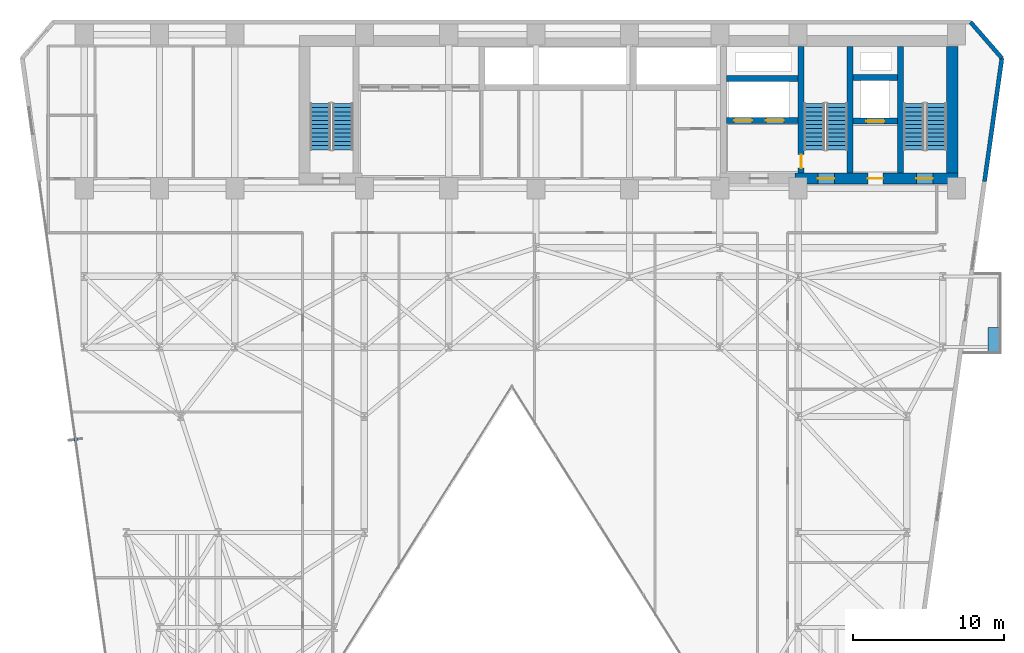
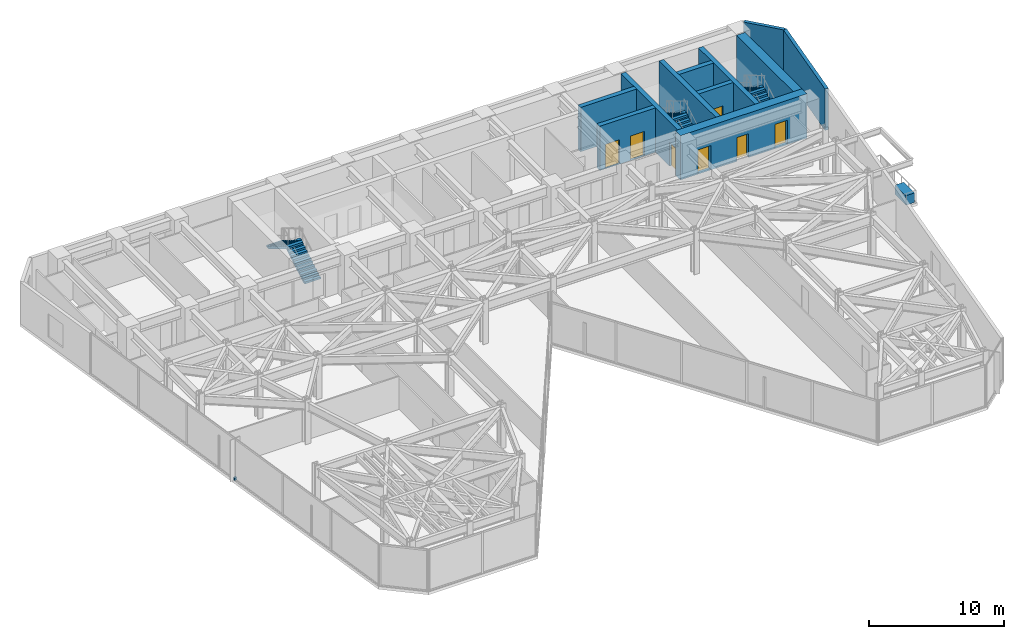
# One storey, part 21 of 25: 11 walls, 7 doors, 6 stair flights, 2 discrete accessories, 7 openings, 3 elements without a shape of their own.
"""IFC4 building model written with IfcOpenShell, lengths in metres."""

from ifc_helpers import new_model, si_unit, direction, frame, frame_2d, origin, origin_2d, place, context, subcontext, project, spatial, polyline, rectangle, outline, extrude, material, layer, layer_set, type_object, element, fill, aggregate, save


model = new_model("IFC4")

# Units and contexts
model_context = context("Model", 3, precision=1e-05, world=origin(), true_north=direction((0.0, 1.0)))
body_context = subcontext(model_context, "Body", "Model", "MODEL_VIEW")
ifc_project = project(units=[si_unit("LENGTHUNIT", "METRE"), si_unit("AREAUNIT", "SQUARE_METRE"), si_unit("VOLUMEUNIT", "CUBIC_METRE"), si_unit("PLANEANGLEUNIT", "RADIAN"), si_unit("MASSUNIT", "GRAM", prefix="KILO")], contexts=[model_context])

# Site, building, storey
site_placement = place(None, origin())
site = spatial("IfcSite", under=ifc_project, at=site_placement, CompositionType="ELEMENT")
building_placement = place(site_placement, origin())
building = spatial("IfcBuilding", under=site, at=building_placement, Name="Kravanh Interchange Tower", CompositionType="ELEMENT")
storey_placement = place(building_placement, frame((0.0, 0.0, 49.5)))
storey = spatial("IfcBuildingStorey", under=building, at=storey_placement, Name="L11", CompositionType="ELEMENT", Elevation=49.5)

# Walls
ifc_material_1 = material(Name="Concrete C80/95", Category="concrete")
ifc_layer_1 = layer(ifc_material_1, 0.39990234375)
ifc_layer_set_1 = layer_set([ifc_layer_1], Name="Core Shear Wall Concrete C80/95 400mm")
wall_type_1 = type_object("IfcWallType", Name="Core Shear Wall Concrete C80/95 400mm", PredefinedType="SHEAR", material=ifc_layer_set_1)
for number, where, z_axis, x_axis, name in (
    (1, (62.800048828125, 38.375, 0.0), (0.0, 0.0, 1.0), (0.0, 1.0, 0.0), "L11 Stair ST1 West Shear Wall"),
    (2, (59.449951171875, 38.375, 0.0), (0.0, 0.0, 1.0), (0.0, 1.0, 0.0), "L11 Stair ST2 East Shear Wall"),
):
    element("IfcWall", number, at=place(storey_placement, frame(where, z_axis=z_axis, x_axis=x_axis)), inside=storey, type_object=wall_type_1, Name=name, PredefinedType="SHEAR", context=body_context, shape_type="SweptSolid", body=[
        extrude(rectangle(XDim=8.375, YDim=0.39990234375, at=frame_2d((4.1875, 0.0))), origin(), (0.0, 0.0, 1.0), 4.0),
    ])

# Wall, opening, door
wall_1_placement = place(storey_placement, frame((56.199951171875, 38.375, 0.0), z_axis=(0.0, 0.0, 1.0), x_axis=(0.0, 1.0, 0.0)))
wall_1 = element("IfcWall", 3, at=wall_1_placement, inside=storey, type_object=wall_type_1, Name="L11 Stair ST2 West Shear Wall", PredefinedType="SHEAR", context=body_context, shape_type="SweptSolid", body=[
    extrude(rectangle(XDim=8.375, YDim=0.39990234375, at=frame_2d((4.1875, 0.0))), origin(), (0.0, 0.0, 1.0), 4.0),
])
opening_1_placement = place(wall_1_placement, frame((0.304931640625, 0.0, 0.0)))
opening_1 = element("IfcOpeningElement", 4, at=opening_1_placement, cuts=wall_1, Name="Opening D-STAIR-90", PredefinedType="OPENING", context=body_context, shape_type="SweptSolid", body=[
    extrude(rectangle(XDim=0.89990234375, YDim=2.14990234375, at=frame_2d((0.449951171875, 1.074951171875))), frame((0.0, 0.2099609375, 0.0), z_axis=(0.0, -1.0, 0.0), x_axis=(1.0, 0.0, 0.0)), (0.0, 0.0, 1.0), 0.419921875),
])
ifc_material_2 = material(Name="Structural Steel S355", Category="steel")
door_type_1 = type_object("IfcDoorType", Name="Fire-Rated Stair Lobby Door 900x2150", OperationType="NOTDEFINED", PredefinedType="DOOR", material=ifc_material_2)
door_1_placement = place(opening_1_placement, origin())
door_1 = element("IfcDoor", 5, at=door_1_placement, inside=storey, type_object=door_type_1, Name="L11 Firefighting Lobby to Stair ST2 Door", OperationType="SINGLE_SWING_LEFT", OverallHeight=2.14990234375, OverallWidth=0.89990234375, PredefinedType="DOOR", context=body_context, shape_type="SweptSolid", body=[
    extrude(rectangle(XDim=0.89990234375, YDim=2.14990234375, at=frame_2d((0.449951171875, 1.074951171875))), frame((0.0, 0.02490234375, 0.0), z_axis=(0.0, -1.0, 0.0), x_axis=(1.0, 0.0, 0.0)), (0.0, 0.0, 1.0), 0.050048828125),
])
fill(opening_1, door_1)

wall_2_placement = place(storey_placement, frame((59.64990234375, 41.800048828125, 0.0), z_axis=(0.0, 0.0, 1.0), x_axis=(1.0, 0.0, 0.0)))
wall_2 = element("IfcWall", 6, at=wall_2_placement, inside=storey, type_object=wall_type_1, Name="L11 Service Lift Shaft South Wall", PredefinedType="SHEAR", context=body_context, shape_type="SweptSolid", body=[
    extrude(rectangle(XDim=2.9501953125, YDim=0.39990234375, at=frame_2d((1.47509765625, 0.0))), origin(), (0.0, 0.0, 1.0), 4.0),
])
opening_2_placement = place(wall_2_placement, frame((0.8701171875, 0.0, 0.0)))
opening_2 = element("IfcOpeningElement", 7, at=opening_2_placement, cuts=wall_2, Name="Opening LD02", PredefinedType="OPENING", context=body_context, shape_type="SweptSolid", body=[
    extrude(rectangle(XDim=1.199951171875, YDim=2.199951171875, at=frame_2d((0.60009765625, 1.10009765625))), frame((0.0, 0.2099609375, 0.0), z_axis=(0.0, -1.0, 0.0), x_axis=(1.0, 0.0, 0.0)), (0.0, 0.0, 1.0), 0.419921875),
])
ifc_material_3 = material(Name="Stainless Steel 316", Category="steel")
door_type_2 = type_object("IfcDoorType", Name="Fire and Service Lift Sliding Landing Door 1200x2200", OperationType="DOUBLE_DOOR_SLIDING", PredefinedType="DOOR", material=ifc_material_3)
door_2_placement = place(opening_2_placement, origin())
door_2 = element("IfcDoor", 8, at=door_2_placement, inside=storey, type_object=door_type_2, Name="L11 Lift LS-01 Landing Door", OperationType="DOUBLE_DOOR_SLIDING", OverallHeight=2.199951171875, OverallWidth=1.199951171875, PredefinedType="DOOR", context=body_context, shape_type="SweptSolid", body=[
    extrude(rectangle(XDim=1.199951171875, YDim=2.199951171875, at=frame_2d((0.60009765625, 1.10009765625))), frame((0.0, 0.02490234375, 0.0), z_axis=(0.0, -1.0, 0.0), x_axis=(1.0, 0.0, 0.0)), (0.0, 0.0, 1.0), 0.050048828125),
])
fill(opening_2, door_2)

# Wall
wall_3_placement = place(storey_placement, frame((59.64990234375, 44.699951171875, 0.0), z_axis=(0.0, 0.0, 1.0), x_axis=(1.0, 0.0, 0.0)))
element("IfcWall", 9, at=wall_3_placement, inside=storey, type_object=wall_type_1, Name="L11 Service Lift Shaft North Wall", PredefinedType="SHEAR", context=body_context, shape_type="SweptSolid", body=[
    extrude(rectangle(XDim=2.9501953125, YDim=0.39990234375, at=frame_2d((1.47509765625, 0.0))), origin(), (0.0, 0.0, 1.0), 4.0),
])

# Wall, openings, doors
wall_4_placement = place(storey_placement, frame((51.25, 41.85009765625, 0.0), z_axis=(0.0, 0.0, 1.0), x_axis=(1.0, 0.0, 0.0)))
wall_4 = element("IfcWall", 10, at=wall_4_placement, inside=storey, type_object=wall_type_1, Name="L11 Fire Lift Shaft South Wall", PredefinedType="SHEAR", context=body_context, shape_type="SweptSolid", body=[
    extrude(rectangle(XDim=4.75, YDim=0.39990234375, at=frame_2d((2.375, 0.0))), origin(), (0.0, 0.0, 1.0), 4.0),
])
opening_3_placement = place(wall_4_placement, frame((0.5, 0.0, 0.0)))
opening_3 = element("IfcOpeningElement", 11, at=opening_3_placement, cuts=wall_4, Name="Opening LD02", PredefinedType="OPENING", context=body_context, shape_type="SweptSolid", body=[
    extrude(rectangle(XDim=1.199951171875, YDim=2.199951171875, at=frame_2d((0.60009765625, 1.10009765625))), frame((0.0, 0.2099609375, 0.0), z_axis=(0.0, -1.0, 0.0), x_axis=(1.0, 0.0, 0.0)), (0.0, 0.0, 1.0), 0.419921875),
])
opening_4_placement = place(wall_4_placement, frame((2.60009765625, 0.0, 0.0)))
opening_4 = element("IfcOpeningElement", 12, at=opening_4_placement, cuts=wall_4, Name="Opening LD02", PredefinedType="OPENING", context=body_context, shape_type="SweptSolid", body=[
    extrude(rectangle(XDim=1.199951171875, YDim=2.199951171875, at=frame_2d((0.60009765625, 1.10009765625))), frame((0.0, 0.2099609375, 0.0), z_axis=(0.0, -1.0, 0.0), x_axis=(1.0, 0.0, 0.0)), (0.0, 0.0, 1.0), 0.419921875),
])
door_3_placement = place(opening_3_placement, origin())
door_3 = element("IfcDoor", 13, at=door_3_placement, inside=storey, type_object=door_type_2, Name="L11 Lift FSAE-01 Landing Door", OperationType="DOUBLE_DOOR_SLIDING", OverallHeight=2.199951171875, OverallWidth=1.199951171875, PredefinedType="DOOR", context=body_context, shape_type="SweptSolid", body=[
    extrude(rectangle(XDim=1.199951171875, YDim=2.199951171875, at=frame_2d((0.60009765625, 1.10009765625))), frame((0.0, 0.02490234375, 0.0), z_axis=(0.0, -1.0, 0.0), x_axis=(1.0, 0.0, 0.0)), (0.0, 0.0, 1.0), 0.050048828125),
])
fill(opening_3, door_3)
door_4_placement = place(opening_4_placement, origin())
door_4 = element("IfcDoor", 14, at=door_4_placement, inside=storey, type_object=door_type_2, Name="L11 Lift FSAE-02 Landing Door", OperationType="DOUBLE_DOOR_SLIDING", OverallHeight=2.199951171875, OverallWidth=1.199951171875, PredefinedType="DOOR", context=body_context, shape_type="SweptSolid", body=[
    extrude(rectangle(XDim=1.199951171875, YDim=2.199951171875, at=frame_2d((0.60009765625, 1.10009765625))), frame((0.0, 0.02490234375, 0.0), z_axis=(0.0, -1.0, 0.0), x_axis=(1.0, 0.0, 0.0)), (0.0, 0.0, 1.0), 0.050048828125),
])
fill(opening_4, door_4)

# Wall
wall_5_placement = place(storey_placement, frame((51.25, 44.64990234375, 0.0), z_axis=(0.0, 0.0, 1.0), x_axis=(1.0, 0.0, 0.0)))
element("IfcWall", 15, at=wall_5_placement, inside=storey, type_object=wall_type_1, Name="L11 Fire Lift Shaft North Wall", PredefinedType="SHEAR", context=body_context, shape_type="SweptSolid", body=[
    extrude(rectangle(XDim=4.75, YDim=0.39990234375, at=frame_2d((2.375, 0.0))), origin(), (0.0, 0.0, 1.0), 4.0),
])

# Wall, openings, doors
ifc_material_4 = material(Name="Concrete C80/95", Category="concrete")
ifc_layer_2 = layer(ifc_material_4, 0.75)
ifc_layer_set_2 = layer_set([ifc_layer_2], Name="Core Shear Wall Concrete C80/95 750mm")
wall_type_2 = type_object("IfcWallType", Name="Core Shear Wall Concrete C80/95 750mm", PredefinedType="SHEAR", material=ifc_layer_set_2)
wall_6_placement = place(storey_placement, frame((55.800048828125, 38.0, 0.0), z_axis=(0.0, 0.0, 1.0), x_axis=(1.0, 0.0, 0.0)))
wall_6 = element("IfcWall", 16, at=wall_6_placement, inside=storey, type_object=wall_type_2, Name="L11 East Core South Shear Wall", PredefinedType="SHEAR", context=body_context, shape_type="SweptSolid", body=[
    extrude(rectangle(XDim=10.800048828125, YDim=0.75, at=frame_2d((5.39990234375, 0.0))), origin(), (0.0, 0.0, 1.0), 4.0),
])
opening_5_placement = place(wall_6_placement, frame((1.5, 0.0, 0.0)))
opening_5 = element("IfcOpeningElement", 17, at=opening_5_placement, cuts=wall_6, Name="Opening D-STAIR-110", PredefinedType="OPENING", context=body_context, shape_type="SweptSolid", body=[
    extrude(rectangle(XDim=1.10009765625, YDim=2.199951171875, at=frame_2d((0.550048828125, 1.10009765625))), frame((0.0, 0.385009765625, 0.0), z_axis=(0.0, -1.0, 0.0), x_axis=(1.0, 0.0, 0.0)), (0.0, 0.0, 1.0), 0.77001953125),
])
opening_6_placement = place(wall_6_placement, frame((4.820068359375, 0.0, 0.0)))
opening_6 = element("IfcOpeningElement", 18, at=opening_6_placement, cuts=wall_6, Name="Opening D-HOTEL-100", PredefinedType="OPENING", context=body_context, shape_type="SweptSolid", body=[
    extrude(rectangle(XDim=1.0, YDim=2.14990234375, at=frame_2d((0.5, 1.074951171875))), frame((0.0, 0.385009765625, 0.0), z_axis=(0.0, -1.0, 0.0), x_axis=(1.0, 0.0, 0.0)), (0.0, 0.0, 1.0), 0.77001953125),
])
opening_7_placement = place(wall_6_placement, frame((8.050048828125, 0.0, 0.0)))
opening_7 = element("IfcOpeningElement", 19, at=opening_7_placement, cuts=wall_6, Name="Opening D-STAIR-110", PredefinedType="OPENING", context=body_context, shape_type="SweptSolid", body=[
    extrude(rectangle(XDim=1.10009765625, YDim=2.199951171875, at=frame_2d((0.550048828125, 1.10009765625))), frame((0.0, 0.385009765625, 0.0), z_axis=(0.0, -1.0, 0.0), x_axis=(1.0, 0.0, 0.0)), (0.0, 0.0, 1.0), 0.77001953125),
])
ifc_material_5 = material(Name="Structural Steel S355", Category="steel")
door_type_3 = type_object("IfcDoorType", Name="Fire-Rated Exit Stair Door 1100x2200", OperationType="NOTDEFINED", PredefinedType="DOOR", material=ifc_material_5)
door_5_placement = place(opening_5_placement, origin())
door_5 = element("IfcDoor", 20, at=door_5_placement, inside=storey, type_object=door_type_3, Name="L11 Exit Stair ST2 Door", OperationType="SINGLE_SWING_RIGHT", OverallHeight=2.199951171875, OverallWidth=1.10009765625, PredefinedType="DOOR", context=body_context, shape_type="SweptSolid", body=[
    extrude(rectangle(XDim=1.10009765625, YDim=2.199951171875, at=frame_2d((0.550048828125, 1.10009765625))), frame((0.0, 0.02490234375, 0.0), z_axis=(0.0, -1.0, 0.0), x_axis=(1.0, 0.0, 0.0)), (0.0, 0.0, 1.0), 0.050048828125),
])
fill(opening_5, door_5)
door_6_placement = place(opening_7_placement, origin())
door_6 = element("IfcDoor", 21, at=door_6_placement, inside=storey, type_object=door_type_3, Name="L11 Exit Stair ST1 Door", OperationType="SINGLE_SWING_RIGHT", OverallHeight=2.199951171875, OverallWidth=1.10009765625, PredefinedType="DOOR", context=body_context, shape_type="SweptSolid", body=[
    extrude(rectangle(XDim=1.10009765625, YDim=2.199951171875, at=frame_2d((0.550048828125, 1.10009765625))), frame((0.0, 0.02490234375, 0.0), z_axis=(0.0, -1.0, 0.0), x_axis=(1.0, 0.0, 0.0)), (0.0, 0.0, 1.0), 0.050048828125),
])
fill(opening_7, door_6)
ifc_material_6 = material(Name="Fire-Rated Solid Timber Leaf", Category="wood")
door_type_4 = type_object("IfcDoorType", Name="Fire-Rated Suite Entrance Door 1000x2150", OperationType="NOTDEFINED", PredefinedType="DOOR", material=ifc_material_6)
door_7_placement = place(opening_6_placement, origin())
door_7 = element("IfcDoor", 22, at=door_7_placement, inside=storey, type_object=door_type_4, Name="L11 Service Lift Lobby Door", OperationType="SINGLE_SWING_RIGHT", OverallHeight=2.14990234375, OverallWidth=1.0, PredefinedType="DOOR", context=body_context, shape_type="SweptSolid", body=[
    extrude(rectangle(XDim=1.0, YDim=2.14990234375, at=frame_2d((0.5, 1.074951171875))), frame((0.0, 0.02490234375, 0.0), z_axis=(0.0, -1.0, 0.0), x_axis=(1.0, 0.0, 0.0)), (0.0, 0.0, 1.0), 0.050048828125),
])
fill(opening_6, door_7)

# Walls
wall_7_placement = place(storey_placement, frame((66.22509765625, 38.375, 0.0), z_axis=(0.0, 0.0, 1.0), x_axis=(0.0, 1.0, 0.0)))
element("IfcWall", 23, at=wall_7_placement, inside=storey, type_object=wall_type_2, Name="L11 Stair ST1 East Shear Wall", PredefinedType="SHEAR", context=body_context, shape_type="SweptSolid", body=[
    extrude(rectangle(XDim=8.375, YDim=0.75, at=frame_2d((4.1875, 0.0))), origin(), (0.0, 0.0, 1.0), 4.0),
])
ifc_material_7 = material(Name="Insulated Precast Concrete C40/50 with Bronze Cladding", Category="concrete")
ifc_layer_3 = layer(ifc_material_7, 0.280029296875)
ifc_layer_set_3 = layer_set([ifc_layer_3], Name="Exterior Insulated Concrete C40/50 Bronze Spandrel Wall 280mm")
wall_type_3 = type_object("IfcWallType", Name="Exterior Insulated Concrete C40/50 Bronze Spandrel Wall 280mm", PredefinedType="STANDARD", material=ifc_layer_set_3)
wall_8_placement = place(storey_placement, frame((67.4453125, 48.3798828125, 0.0), z_axis=(0.0, 0.0, 1.0), x_axis=(0.656070053895, -0.754699996278, 0.0)))
element("IfcWall", 24, at=wall_8_placement, inside=storey, type_object=wall_type_3, Name="L11 Exterior Wall 4", PredefinedType="STANDARD", context=body_context, shape_type="SweptSolid", body=[
    extrude(rectangle(XDim=3.1708984375, YDim=0.280029296875, at=frame_2d((1.58544921875, 0.0))), origin(), (0.0, 0.0, 1.0), 3.739990234375),
])
wall_9_placement = place(storey_placement, frame((69.525634765625, 45.98681640625, 0.0), z_axis=(0.0, 0.0, 1.0), x_axis=(-0.139180172484, -0.990267074878, 0.0)))
element("IfcWall", 25, at=wall_9_placement, inside=storey, type_object=wall_type_3, Name="L11 Exterior Wall 5", PredefinedType="STANDARD", context=body_context, shape_type="SweptSolid", body=[
    extrude(rectangle(XDim=8.267333984375, YDim=0.280029296875, at=frame_2d((4.1337890625, 0.0))), origin(), (0.0, 0.0, 1.0), 3.739990234375),
])

# Stair, stair flights
ifc_material_8 = material(Name="Concrete C50/60", Category="concrete")
stair_type = type_object("IfcStairType", Name="Core Fire Exit Dogleg Stair Concrete C50/60", PredefinedType="HALF_TURN_STAIR", material=ifc_material_8)
stair_1_placement = place(storey_placement, origin())
stair_1 = element("IfcStair", 26, at=stair_1_placement, inside=storey, type_object=stair_type, Name="L11 Exit Stair ST1", PredefinedType="HALF_TURN_STAIR")
ifc_material_9 = material(Name="Precast Concrete C50/60", Category="concrete")
ifc_layer_4 = layer(ifc_material_9, 0.199951171875)
ifc_layer_set_4 = layer_set([ifc_layer_4], Name="Precast Concrete C50/60 Stair Flight 1350mm")
stair_flight_type = type_object("IfcStairFlightType", Name="Precast Concrete C50/60 Stair Flight 1350mm", PredefinedType="STRAIGHT", material=ifc_layer_set_4)
stair_flight_1_placement = place(storey_placement, frame((65.175048828125, 39.89990234375, 0.0), z_axis=(0.0, 0.0, 1.0), x_axis=(0.0, 1.0, 0.0)))
stair_flight_1 = element("IfcStairFlight", 27, at=stair_flight_1_placement, type_object=stair_flight_type, Name="ST1 flight 1", NumberOfRisers=12, NumberOfTreads=11, PredefinedType="STRAIGHT", RiserHeight=0.166666667, TreadLength=0.28, context=body_context, shape_type="SweptSolid", body=[
    extrude(outline(polyline([(0.0, 0.0), (0.0, 0.166748046875), (0.280029296875, 0.166748046875), (0.280029296875, 0.333251953125), (0.56005859375, 0.333251953125), (0.56005859375, 0.5), (0.840087890625, 0.5), (0.840087890625, 0.666748046875), (1.1201171875, 0.666748046875), (1.1201171875, 0.833251953125), (1.39990234375, 0.833251953125), (1.39990234375, 1.0), (1.679931640625, 1.0), (1.679931640625, 1.166748046875), (1.9599609375, 1.166748046875), (1.9599609375, 1.333251953125), (2.239990234375, 1.333251953125), (2.239990234375, 1.5), (2.52001953125, 1.5), (2.52001953125, 1.666748046875), (2.800048828125, 1.666748046875), (2.800048828125, 1.833251953125), (3.080078125, 1.833251953125), (3.080078125, 2.0), (3.080078125, 1.658935546875), (0.29296875, 0.0), (0.0, 0.0)])), frame((0.0, 0.675048828125, 0.0), z_axis=(0.0, -1.0, 0.0), x_axis=(1.0, 0.0, 0.0)), (0.0, 0.0, 1.0), 1.35009765625),
])
stair_flight_2_placement = place(storey_placement, frame((63.675048828125, 42.97998046875, 2.0), z_axis=(0.0, 0.0, 1.0), x_axis=(0.0, -1.0, 0.0)))
stair_flight_2 = element("IfcStairFlight", 28, at=stair_flight_2_placement, type_object=stair_flight_type, Name="ST1 flight 2", NumberOfRisers=12, NumberOfTreads=11, PredefinedType="STRAIGHT", RiserHeight=0.166666667, TreadLength=0.28, context=body_context, shape_type="SweptSolid", body=[
    extrude(outline(polyline([(0.0, 0.0), (0.0, 0.166748046875), (0.280029296875, 0.166748046875), (0.280029296875, 0.333251953125), (0.56005859375, 0.333251953125), (0.56005859375, 0.5), (0.840087890625, 0.5), (0.840087890625, 0.666748046875), (1.1201171875, 0.666748046875), (1.1201171875, 0.833251953125), (1.39990234375, 0.833251953125), (1.39990234375, 1.0), (1.679931640625, 1.0), (1.679931640625, 1.166748046875), (1.9599609375, 1.166748046875), (1.9599609375, 1.333251953125), (2.239990234375, 1.333251953125), (2.239990234375, 1.5), (2.52001953125, 1.5), (2.52001953125, 1.666748046875), (2.800048828125, 1.666748046875), (2.800048828125, 1.833251953125), (3.080078125, 1.833251953125), (3.080078125, 2.0), (3.080078125, 1.658935546875), (0.29296875, 0.0), (0.0, 0.0)])), frame((0.0, 0.675048828125, 0.0), z_axis=(0.0, -1.0, 0.0), x_axis=(1.0, 0.0, 0.0)), (0.0, 0.0, 1.0), 1.35009765625),
])
aggregate(stair_1, [stair_flight_1, stair_flight_2])

stair_2_placement = place(storey_placement, origin())
stair_2 = element("IfcStair", 29, at=stair_2_placement, inside=storey, type_object=stair_type, Name="L11 Exit Stair ST2", PredefinedType="HALF_TURN_STAIR")
stair_flight_3_placement = place(storey_placement, frame((58.574951171875, 39.89990234375, 0.0), z_axis=(0.0, 0.0, 1.0), x_axis=(0.0, 1.0, 0.0)))
stair_flight_3 = element("IfcStairFlight", 30, at=stair_flight_3_placement, type_object=stair_flight_type, Name="ST2 flight 1", NumberOfRisers=12, NumberOfTreads=11, PredefinedType="STRAIGHT", RiserHeight=0.166666667, TreadLength=0.28, context=body_context, shape_type="SweptSolid", body=[
    extrude(outline(polyline([(0.0, 0.0), (0.0, 0.166748046875), (0.280029296875, 0.166748046875), (0.280029296875, 0.333251953125), (0.56005859375, 0.333251953125), (0.56005859375, 0.5), (0.840087890625, 0.5), (0.840087890625, 0.666748046875), (1.1201171875, 0.666748046875), (1.1201171875, 0.833251953125), (1.39990234375, 0.833251953125), (1.39990234375, 1.0), (1.679931640625, 1.0), (1.679931640625, 1.166748046875), (1.9599609375, 1.166748046875), (1.9599609375, 1.333251953125), (2.239990234375, 1.333251953125), (2.239990234375, 1.5), (2.52001953125, 1.5), (2.52001953125, 1.666748046875), (2.800048828125, 1.666748046875), (2.800048828125, 1.833251953125), (3.080078125, 1.833251953125), (3.080078125, 2.0), (3.080078125, 1.658935546875), (0.29296875, 0.0), (0.0, 0.0)])), frame((0.0, 0.675048828125, 0.0), z_axis=(0.0, -1.0, 0.0), x_axis=(1.0, 0.0, 0.0)), (0.0, 0.0, 1.0), 1.35009765625),
])
stair_flight_4_placement = place(storey_placement, frame((57.074951171875, 42.97998046875, 2.0), z_axis=(0.0, 0.0, 1.0), x_axis=(0.0, -1.0, 0.0)))
stair_flight_4 = element("IfcStairFlight", 31, at=stair_flight_4_placement, type_object=stair_flight_type, Name="ST2 flight 2", NumberOfRisers=12, NumberOfTreads=11, PredefinedType="STRAIGHT", RiserHeight=0.166666667, TreadLength=0.28, context=body_context, shape_type="SweptSolid", body=[
    extrude(outline(polyline([(0.0, 0.0), (0.0, 0.166748046875), (0.280029296875, 0.166748046875), (0.280029296875, 0.333251953125), (0.56005859375, 0.333251953125), (0.56005859375, 0.5), (0.840087890625, 0.5), (0.840087890625, 0.666748046875), (1.1201171875, 0.666748046875), (1.1201171875, 0.833251953125), (1.39990234375, 0.833251953125), (1.39990234375, 1.0), (1.679931640625, 1.0), (1.679931640625, 1.166748046875), (1.9599609375, 1.166748046875), (1.9599609375, 1.333251953125), (2.239990234375, 1.333251953125), (2.239990234375, 1.5), (2.52001953125, 1.5), (2.52001953125, 1.666748046875), (2.800048828125, 1.666748046875), (2.800048828125, 1.833251953125), (3.080078125, 1.833251953125), (3.080078125, 2.0), (3.080078125, 1.658935546875), (0.29296875, 0.0), (0.0, 0.0)])), frame((0.0, 0.675048828125, 0.0), z_axis=(0.0, -1.0, 0.0), x_axis=(1.0, 0.0, 0.0)), (0.0, 0.0, 1.0), 1.35009765625),
])
aggregate(stair_2, [stair_flight_3, stair_flight_4])

stair_3_placement = place(storey_placement, origin())
stair_3 = element("IfcStair", 32, at=stair_3_placement, inside=storey, type_object=stair_type, Name="L11 Exit Stair ST3", PredefinedType="HALF_TURN_STAIR")
stair_flight_5_placement = place(storey_placement, frame((25.77490234375, 39.89990234375, 0.0), z_axis=(0.0, 0.0, 1.0), x_axis=(0.0, 1.0, 0.0)))
stair_flight_5 = element("IfcStairFlight", 33, at=stair_flight_5_placement, type_object=stair_flight_type, Name="ST3 flight 1", NumberOfRisers=12, NumberOfTreads=11, PredefinedType="STRAIGHT", RiserHeight=0.166666667, TreadLength=0.28, context=body_context, shape_type="SweptSolid", body=[
    extrude(outline(polyline([(0.0, 0.0), (0.0, 0.166748046875), (0.280029296875, 0.166748046875), (0.280029296875, 0.333251953125), (0.56005859375, 0.333251953125), (0.56005859375, 0.5), (0.840087890625, 0.5), (0.840087890625, 0.666748046875), (1.1201171875, 0.666748046875), (1.1201171875, 0.833251953125), (1.39990234375, 0.833251953125), (1.39990234375, 1.0), (1.679931640625, 1.0), (1.679931640625, 1.166748046875), (1.9599609375, 1.166748046875), (1.9599609375, 1.333251953125), (2.239990234375, 1.333251953125), (2.239990234375, 1.5), (2.52001953125, 1.5), (2.52001953125, 1.666748046875), (2.800048828125, 1.666748046875), (2.800048828125, 1.833251953125), (3.080078125, 1.833251953125), (3.080078125, 2.0), (3.080078125, 1.658935546875), (0.29296875, 0.0), (0.0, 0.0)])), frame((0.0, 0.675048828125, 0.0), z_axis=(0.0, -1.0, 0.0), x_axis=(1.0, 0.0, 0.0)), (0.0, 0.0, 1.0), 1.35009765625),
])
stair_flight_6_placement = place(storey_placement, frame((24.27490234375, 42.97998046875, 2.0), z_axis=(0.0, 0.0, 1.0), x_axis=(0.0, -1.0, 0.0)))
stair_flight_6 = element("IfcStairFlight", 34, at=stair_flight_6_placement, type_object=stair_flight_type, Name="ST3 flight 2", NumberOfRisers=12, NumberOfTreads=11, PredefinedType="STRAIGHT", RiserHeight=0.166666667, TreadLength=0.28, context=body_context, shape_type="SweptSolid", body=[
    extrude(outline(polyline([(0.0, 0.0), (0.0, 0.166748046875), (0.280029296875, 0.166748046875), (0.280029296875, 0.333251953125), (0.56005859375, 0.333251953125), (0.56005859375, 0.5), (0.840087890625, 0.5), (0.840087890625, 0.666748046875), (1.1201171875, 0.666748046875), (1.1201171875, 0.833251953125), (1.39990234375, 0.833251953125), (1.39990234375, 1.0), (1.679931640625, 1.0), (1.679931640625, 1.166748046875), (1.9599609375, 1.166748046875), (1.9599609375, 1.333251953125), (2.239990234375, 1.333251953125), (2.239990234375, 1.5), (2.52001953125, 1.5), (2.52001953125, 1.666748046875), (2.800048828125, 1.666748046875), (2.800048828125, 1.833251953125), (3.080078125, 1.833251953125), (3.080078125, 2.0), (3.080078125, 1.658935546875), (0.29296875, 0.0), (0.0, 0.0)])), frame((0.0, 0.675048828125, 0.0), z_axis=(0.0, -1.0, 0.0), x_axis=(1.0, 0.0, 0.0)), (0.0, 0.0, 1.0), 1.35009765625),
])
aggregate(stair_3, [stair_flight_5, stair_flight_6])

# Discrete accessories
ifc_material_10 = material(Name="Stainless Steel 316", Category="steel")
discrete_accessory_type_1 = type_object("IfcDiscreteAccessoryType", Name="Solar Fin Curtain-Wall Mounting Bracket Stainless 316", PredefinedType="BRACKET", material=ifc_material_10)
discrete_accessory_1_placement = place(storey_placement, frame((8.03271484375, 20.66845703125, 0.0), z_axis=(0.0, 0.0, 1.0), x_axis=(-0.990267798532, -0.139175023587, 0.0)))
element("IfcDiscreteAccessory", 35, at=discrete_accessory_1_placement, inside=storey, type_object=discrete_accessory_type_1, Name="L11 Solar Fin Mounting Bracket 1", PredefinedType="BRACKET", context=body_context, shape_type="SweptSolid", body=[
    extrude(rectangle(XDim=0.239990234375, YDim=0.179931640625, at=origin_2d()), origin(), (0.0, 0.0, 1.0), 0.219970703125),
])
ifc_material_11 = material(Name="Architectural GRC Concrete C40/50 with Root Barrier", Category="concrete")
discrete_accessory_type_2 = type_object("IfcDiscreteAccessoryType", Name="Structural Balcony Tree Planter Box Concrete C40/50 1600x750x850", PredefinedType="USERDEFINED", material=ifc_material_11)
discrete_accessory_2_placement = place(storey_placement, frame((68.969970703125, 27.300048828125, 0.0), z_axis=(0.0, 0.0, 1.0), x_axis=(1.0, 0.0, 0.0)))
element("IfcDiscreteAccessory", 36, at=discrete_accessory_2_placement, inside=storey, type_object=discrete_accessory_type_2, Name="L11 E Balcony TREE PLANTER", ObjectType="PLANTER", PredefinedType="USERDEFINED", context=body_context, shape_type="SweptSolid", body=[
    extrude(rectangle(XDim=0.75, YDim=1.60009765625, at=origin_2d()), origin(), (0.0, 0.0, 1.0), 0.85009765625),
])

save(model, "model.ifc")
